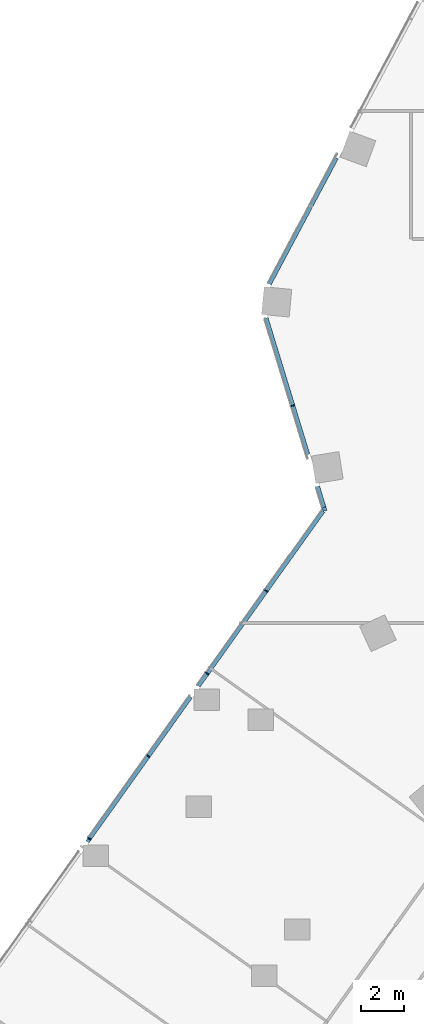
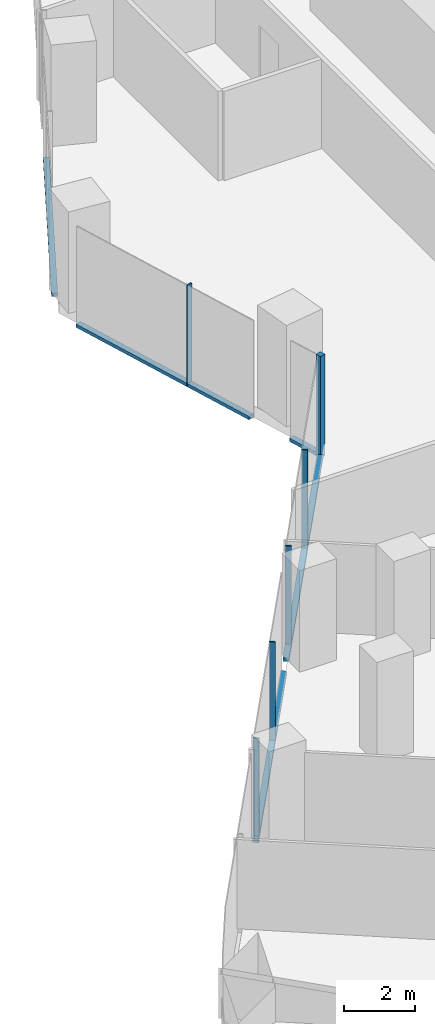
# One storey, part 7 of 31: 11 members, 3 elements without a shape of their own.
"""IFC4 building model written with IfcOpenShell, lengths in metres."""

import ifcopenshell
import ifcopenshell.guid

model = None  # the IFC model being written
_history = None  # IfcOwnerHistory: only IFC2X3 demands one
_inside = {}  # id of a spatial element -> (the spatial element, [elements in it])
_under = {}  # id of a project, library or spatial element -> (it, [spatial elements below it])
_declared = {}  # id of a project -> (the project, [libraries it declares])
_typed = {}  # id of a type object -> (the type object, [elements of that type])
_made_of = {}  # id of a material, layer set ... -> (it, [elements and type objects made of it])


def new_model(schema):
    """Start an empty IFC model of exactly this schema.

    Asked for "IFC4X3", IfcOpenShell would pick the latest addendum, in which some entities
    have other attributes; the version numbers below select the first issue.
    IFC2X3 requires an IfcOwnerHistory on every rooted entity: one is made here for all.
    """
    global model, _history
    if schema == "IFC4X3":
        model = ifcopenshell.file(schema_version=(4, 3, 0, 0))
    else:
        model = ifcopenshell.file(schema=schema)
    _inside.clear()
    _under.clear()
    _declared.clear()
    _typed.clear()
    _made_of.clear()
    _history = None
    if model.schema == "IFC2X3":
        org = make("IfcOrganization", Name="unknown")
        user = make(
            "IfcPersonAndOrganization",
            ThePerson=make("IfcPerson", FamilyName="unknown"),
            TheOrganization=org,
        )
        app = make(
            "IfcApplication",
            ApplicationDeveloper=org,
            Version="unknown",
            ApplicationFullName="unknown",
            ApplicationIdentifier="unknown",
        )
        _history = make(
            "IfcOwnerHistory",
            OwningUser=user,
            OwningApplication=app,
            ChangeAction="ADDED",
            CreationDate=0,
        )
    return model


def make(cls, **values):
    """One entity of the class cls with the attributes given. An attribute that is None is left unset."""
    return model.create_entity(
        cls, **{name: value for name, value in values.items() if value is not None}
    )


def rooted(cls, **values):
    """An entity with a GlobalId (a new one), such as an element, a storey or a relation."""
    return make(cls, GlobalId=ifcopenshell.guid.new(), OwnerHistory=_history, **values)


def si_unit(unit_type, name, prefix=None):
    """IfcSIUnit, for example si_unit("LENGTHUNIT", "METRE", prefix="MILLI")."""
    return make("IfcSIUnit", UnitType=unit_type, Prefix=prefix, Name=name)


def assignment(units):
    """IfcUnitAssignment: the units of a project."""
    return None if units is None else make("IfcUnitAssignment", Units=units)


def point(xyz):
    """IfcCartesianPoint."""
    return None if xyz is None else make("IfcCartesianPoint", Coordinates=xyz)


def direction(xyz):
    """IfcDirection."""
    return None if xyz is None else make("IfcDirection", DirectionRatios=xyz)


def frame(location, z_axis=None, x_axis=None):
    """IfcAxis2Placement3D, a coordinate frame: its origin and axes. An axis left out is left unset."""
    return make(
        "IfcAxis2Placement3D",
        Location=point(location),
        Axis=direction(z_axis),
        RefDirection=direction(x_axis),
    )


def frame_2d(location, x_axis=None):
    """IfcAxis2Placement2D, a coordinate frame in the plane: its origin and x axis."""
    return make(
        "IfcAxis2Placement2D", Location=point(location), RefDirection=direction(x_axis)
    )


def origin():
    """The frame at (0, 0, 0) with its axes left unset."""
    return frame((0.0, 0.0, 0.0))


def origin_2d():
    """The frame at (0, 0) in the plane with its x axis left unset."""
    return frame_2d((0.0, 0.0))


def place(relative_to, where):
    """IfcLocalPlacement: puts the frame where relative to a parent placement (None: the world)."""
    return make(
        "IfcLocalPlacement", PlacementRelTo=relative_to, RelativePlacement=where
    )


def context(
    kind, dimensions, precision=None, world=None, true_north=None, identifier=None
):
    """IfcGeometricRepresentationContext, for example the 3D "Model" context."""
    return make(
        "IfcGeometricRepresentationContext",
        ContextIdentifier=identifier,
        ContextType=kind,
        CoordinateSpaceDimension=dimensions,
        Precision=precision,
        WorldCoordinateSystem=world,
        TrueNorth=true_north,
    )


def subcontext(parent, identifier, kind, view, scale=None):
    """IfcGeometricRepresentationSubContext, for example "Body" below "Model"."""
    return make(
        "IfcGeometricRepresentationSubContext",
        ContextIdentifier=identifier,
        ContextType=kind,
        ParentContext=parent,
        TargetScale=scale,
        TargetView=view,
    )


def project(units=None, contexts=None):
    """IfcProject with its units and contexts."""
    return rooted(
        "IfcProject",
        Name="project",
        RepresentationContexts=contexts,
        UnitsInContext=assignment(units),
    )


def spatial(cls, under=None, at=None, **own):
    """A site, building, storey or space (cls), placed at a placement, below another one or the project."""
    s = rooted(cls, ObjectPlacement=at, **own)
    if under is not None:
        _under.setdefault(under.id(), (under, []))[1].append(s)
    return s


def profile(cls, at=None, kind="AREA", **sizes):
    """A parametric profile (cls). Its sizes go by their IFC names, for example OverallWidth=200.0."""
    return make(cls, ProfileType=kind, Position=at, **sizes)


def rectangle(**sizes):
    """IfcRectangleProfileDef."""
    return profile("IfcRectangleProfileDef", **sizes)


def extrude(swept, where, along, depth):
    """IfcExtrudedAreaSolid: the profile swept, set in the frame where, extruded along a direction by depth."""
    return make(
        "IfcExtrudedAreaSolid",
        SweptArea=swept,
        Position=where,
        ExtrudedDirection=direction(along),
        Depth=depth,
    )


def shape(context_of_items, identifier, shape_type, items):
    """IfcShapeRepresentation: the items that make up one representation, for example the "Body"."""
    return make(
        "IfcShapeRepresentation",
        ContextOfItems=context_of_items,
        RepresentationIdentifier=identifier,
        RepresentationType=shape_type,
        Items=items,
    )


def material(Name=None, Category=None):
    """IfcMaterial."""
    return make("IfcMaterial", Name=Name, Category=Category)


def material_profile(
    of_material, cross_section, Name=None, Category=None, Priority=None
):
    """IfcMaterialProfile: a cross section and its material."""
    return make(
        "IfcMaterialProfile",
        Name=Name,
        Material=of_material,
        Profile=cross_section,
        Priority=Priority,
        Category=Category,
    )


def profile_set(profiles, Name=None, composite=None):
    """IfcMaterialProfileSet."""
    return make(
        "IfcMaterialProfileSet",
        Name=Name,
        MaterialProfiles=profiles,
        CompositeProfile=composite,
    )


def made_of(thing, what):
    """Note that an element or type object is made of a material, layer set ...; save() writes the relation."""
    if what is not None:
        _made_of.setdefault(what.id(), (what, []))[1].append(thing)
    return thing


def type_object(cls, material=None, **own):
    """A type object (cls), such as IfcWallType, which elements share."""
    return made_of(rooted(cls, **own), material)


def element(
    cls,
    number,
    at=None,
    inside=None,
    cuts=None,
    type_object=None,
    material=None,
    context=None,
    identifier="Body",
    shape_type=None,
    held_by="IfcProductDefinitionShape",
    body=None,
    shapes=None,
    **own,
):
    """One element of the class cls, such as IfcWall. Its Tag is "e" and its number.

    at: its placement. inside: the storey or other place that contains it. cuts: it is an
    opening in that element (IfcRelVoidsElement). A single representation is given by context,
    identifier, shape_type and body (its items); several are given by shapes. held_by: the class
    of the entity that holds the representations. save() writes the other relations.
    """
    e = rooted(cls, Tag="e%d" % number, ObjectPlacement=at, **own)
    if body is not None:
        shapes = [shape(context, identifier, shape_type, body)]
    if shapes is not None:
        e.Representation = make(held_by, Representations=shapes)
    if inside is not None:
        _inside.setdefault(inside.id(), (inside, []))[1].append(e)
    if cuts is not None:
        rooted(
            "IfcRelVoidsElement", RelatingBuildingElement=cuts, RelatedOpeningElement=e
        )
    if type_object is not None:
        _typed.setdefault(type_object.id(), (type_object, []))[1].append(e)
    return made_of(e, material)


def aggregate(whole, parts):
    """IfcRelAggregates: a whole, such as a stair, and the parts it consists of."""
    return rooted("IfcRelAggregates", RelatingObject=whole, RelatedObjects=parts)


def save(model, path):
    """Write the relations noted so far, then the file.

    IfcRelAggregates (storeys below a building ...), IfcRelContainedInSpatialStructure (elements
    in a storey), IfcRelDefinesByType, IfcRelAssociatesMaterial and IfcRelDeclares: one each for
    every whole, place, type object, material and project.
    """
    for whole, parts in _under.values():
        aggregate(whole, parts)
    for where, things in _inside.values():
        rooted(
            "IfcRelContainedInSpatialStructure",
            RelatedElements=things,
            RelatingStructure=where,
        )
    for kind, things in _typed.values():
        rooted("IfcRelDefinesByType", RelatedObjects=things, RelatingType=kind)
    for what, things in _made_of.values():
        rooted("IfcRelAssociatesMaterial", RelatedObjects=things, RelatingMaterial=what)
    for by, libraries in _declared.values():
        rooted("IfcRelDeclares", RelatingContext=by, RelatedDefinitions=libraries)
    model.write(path)


model = new_model("IFC4")

# Units and contexts
model_context = context("Model", 3, precision=1e-05, world=origin(), true_north=direction((0.0, 1.0)))
body_context = subcontext(model_context, "Body", "Model", "MODEL_VIEW")
ifc_project = project(units=[si_unit("LENGTHUNIT", "METRE"), si_unit("AREAUNIT", "SQUARE_METRE"), si_unit("VOLUMEUNIT", "CUBIC_METRE"), si_unit("PLANEANGLEUNIT", "RADIAN"), si_unit("MASSUNIT", "GRAM", prefix="KILO")], contexts=[model_context])

# Site, building, storey
site_placement = place(None, origin())
site = spatial("IfcSite", under=ifc_project, at=site_placement, CompositionType="ELEMENT")
building_placement = place(site_placement, origin())
building = spatial("IfcBuilding", under=site, at=building_placement, Name="Orlundy Tower", CompositionType="ELEMENT")
storey_placement = place(building_placement, frame((0.0, 0.0, 91.199951171875)))
storey = spatial("IfcBuildingStorey", under=building, at=storey_placement, Name="L22", CompositionType="ELEMENT", Elevation=91.199951171875)

# Curtain wall, member
ifc_material_1 = material(Name="Aluminium bronze anodised", Category="aluminium")
curtain_wall_type = type_object("IfcCurtainWallType", Name="CW1 wall", PredefinedType="NOTDEFINED", material=ifc_material_1)
curtain_wall_1_placement = place(storey_placement, origin())
curtain_wall_1 = element("IfcCurtainWall", 1, at=curtain_wall_1_placement, inside=storey, type_object=curtain_wall_type, Name="CW1 run 01", PredefinedType="NOTDEFINED")
ifc_material_2 = material(Name="Aluminium bronze anodised", Category="aluminium")
ifc_material_profile_1 = material_profile(ifc_material_2, rectangle(XDim=0.179931640625, YDim=0.179931640625, at=origin_2d()), Name="CW1 corner post 180x180")
ifc_profile_set_1 = profile_set([ifc_material_profile_1], Name="Aluminium bronze anodised")
member_type_1 = type_object("IfcMemberType", Name="CW1 corner post 180x180", PredefinedType="MULLION", material=ifc_profile_set_1)
member_1_placement = place(storey_placement, frame((-29.427978515625, -6.660888671875, -0.39990234375), z_axis=(0.0, 0.0, 1.0), x_axis=(-0.956299228529, -0.292389783533, 0.0)))
member_1 = element("IfcMember", 2, at=member_1_placement, type_object=member_type_1, Name="CW1 mullion 7", PredefinedType="MULLION", context=body_context, shape_type="SweptSolid", body=[
    extrude(rectangle(XDim=0.179931640625, YDim=0.179931640625, at=origin_2d()), origin(), (0.0, 0.0, 1.0), 3.5),
])

# Curtain wall, members
curtain_wall_2_placement = place(storey_placement, origin())
curtain_wall_2 = element("IfcCurtainWall", 3, at=curtain_wall_2_placement, inside=storey, type_object=curtain_wall_type, Name="CW1 run 00", PredefinedType="NOTDEFINED")
ifc_material_3 = material(Name="Aluminium bronze anodised", Category="aluminium")
ifc_material_profile_2 = material_profile(ifc_material_3, rectangle(XDim=0.179931640625, YDim=0.050048828125, at=origin_2d()), Name="CW1 mullion 50x180")
ifc_profile_set_2 = profile_set([ifc_material_profile_2], Name="Aluminium bronze anodised")
member_type_2 = type_object("IfcMemberType", Name="CW1 mullion 50x180", PredefinedType="MULLION", material=ifc_profile_set_2)
member_2_placement = place(storey_placement, frame((-40.4482421875, -22.11083984375, -0.39990234375), z_axis=(0.0, 0.0, 1.0), x_axis=(-0.814116921316, 0.580700988829, 0.0)))
member_2 = element("IfcMember", 4, at=member_2_placement, type_object=member_type_2, Name="CW1 mullion 3", PredefinedType="MULLION", context=body_context, shape_type="SweptSolid", body=[
    extrude(rectangle(XDim=0.179931640625, YDim=0.050048828125, at=origin_2d()), origin(), (0.0, 0.0, 1.0), 3.5),
])
member_3_placement = place(storey_placement, frame((-37.686767578125, -18.2392578125, -0.39990234375), z_axis=(0.0, 0.0, 1.0), x_axis=(-0.814116921316, 0.580700988829, 0.0)))
member_3 = element("IfcMember", 5, at=member_3_placement, type_object=member_type_2, Name="CW1 mullion 4", PredefinedType="MULLION", context=body_context, shape_type="SweptSolid", body=[
    extrude(rectangle(XDim=0.179931640625, YDim=0.050048828125, at=origin_2d()), origin(), (0.0, 0.0, 1.0), 3.5),
])
member_4_placement = place(storey_placement, frame((-34.92529296875, -14.36767578125, -0.39990234375), z_axis=(0.0, 0.0, 1.0), x_axis=(-0.814116921316, 0.580700988829, 0.0)))
member_4 = element("IfcMember", 6, at=member_4_placement, type_object=member_type_2, Name="CW1 mullion 5", PredefinedType="MULLION", context=body_context, shape_type="SweptSolid", body=[
    extrude(rectangle(XDim=0.179931640625, YDim=0.050048828125, at=origin_2d()), origin(), (0.0, 0.0, 1.0), 3.5),
])
member_5_placement = place(storey_placement, frame((-32.163818359375, -10.496337890625, -0.39990234375), z_axis=(0.0, 0.0, 1.0), x_axis=(-0.814116921316, 0.580700988829, 0.0)))
member_5 = element("IfcMember", 7, at=member_5_placement, type_object=member_type_2, Name="CW1 mullion 6", PredefinedType="MULLION", context=body_context, shape_type="SweptSolid", body=[
    extrude(rectangle(XDim=0.179931640625, YDim=0.050048828125, at=origin_2d()), origin(), (0.0, 0.0, 1.0), 3.5),
])

# Member
member_6_placement = place(storey_placement, frame((-30.91162109375, -1.808837890625, -0.39990234375), z_axis=(0.0, 0.0, 1.0), x_axis=(-0.956299228529, -0.292389783533, 0.0)))
member_6 = element("IfcMember", 8, at=member_6_placement, type_object=member_type_2, Name="CW1 mullion 8", PredefinedType="MULLION", context=body_context, shape_type="SweptSolid", body=[
    extrude(rectangle(XDim=0.179931640625, YDim=0.050048828125, at=origin_2d()), origin(), (0.0, 0.0, 1.0), 3.5),
])

ifc_material_4 = material(Name="Aluminium bronze anodised", Category="aluminium")
ifc_material_profile_3 = material_profile(ifc_material_4, rectangle(XDim=0.179931640625, YDim=0.1201171875, at=origin_2d()), Name="CW1 transom 180x120")
ifc_profile_set_3 = profile_set([ifc_material_profile_3], Name="Aluminium bronze anodised")
member_type_3 = type_object("IfcMemberType", Name="CW1 transom 180x120", PredefinedType="USERDEFINED", material=ifc_profile_set_3)
member_7_placement = place(storey_placement, frame((-40.547607421875, -22.25, -0.33984375), z_axis=(0.580695047202, 0.814121159383, 0.0), x_axis=(-0.814121159383, 0.580695047202, 0.0)))
member_7 = element("IfcMember", 9, at=member_7_placement, type_object=member_type_3, Name="CW1 transom", ObjectType="TRANSOM", PredefinedType="USERDEFINED", context=body_context, shape_type="SweptSolid", body=[
    extrude(rectangle(XDim=0.179931640625, YDim=0.1201171875, at=origin_2d()), origin(), (0.0, 0.0, 1.0), 8.3359375),
])

member_8_placement = place(storey_placement, frame((-35.340576171875, -14.949951171875, -0.33984375), z_axis=(0.580701325073, 0.814116681477, 0.0), x_axis=(-0.814116681477, 0.580701325073, 0.0)))
member_8 = element("IfcMember", 10, at=member_8_placement, type_object=member_type_3, Name="CW1 transom", ObjectType="TRANSOM", PredefinedType="USERDEFINED", context=body_context, shape_type="SweptSolid", body=[
    extrude(rectangle(XDim=0.179931640625, YDim=0.1201171875, at=origin_2d()), origin(), (0.0, 0.0, 1.0), 10.068359375),
])

aggregate(curtain_wall_2, [member_2, member_3, member_4, member_5, member_7, member_8])

member_9_placement = place(storey_placement, frame((-29.454345703125, -6.57470703125, -0.33984375), z_axis=(-0.292491498348, 0.956268123172, 0.0), x_axis=(-0.956268123172, -0.292491498348, 0.0)))
member_9 = element("IfcMember", 11, at=member_9_placement, type_object=member_type_3, Name="CW1 transom", ObjectType="TRANSOM", PredefinedType="USERDEFINED", context=body_context, shape_type="SweptSolid", body=[
    extrude(rectangle(XDim=0.179931640625, YDim=0.1201171875, at=origin_2d()), origin(), (0.0, 0.0, 1.0), 1.0224609375),
])

member_10_placement = place(storey_placement, frame((-30.211181640625, -4.099853515625, -0.33984375), z_axis=(-0.292366048802, 0.956306485133, 0.0), x_axis=(-0.956306485133, -0.292366048802, 0.0)))
member_10 = element("IfcMember", 12, at=member_10_placement, type_object=member_type_3, Name="CW1 transom", ObjectType="TRANSOM", PredefinedType="USERDEFINED", context=body_context, shape_type="SweptSolid", body=[
    extrude(rectangle(XDim=0.179931640625, YDim=0.1201171875, at=origin_2d()), origin(), (0.0, 0.0, 1.0), 6.685302734375),
])

aggregate(curtain_wall_1, [member_1, member_6, member_9, member_10])

# Curtain wall, member
curtain_wall_3_placement = place(storey_placement, origin())
curtain_wall_3 = element("IfcCurtainWall", 13, at=curtain_wall_3_placement, inside=storey, type_object=curtain_wall_type, Name="CW1 run 02", PredefinedType="NOTDEFINED")
member_11_placement = place(storey_placement, frame((-32.012451171875, 3.885986328125, -0.33984375), z_axis=(0.469468302858, 0.882949326186, 0.0), x_axis=(-0.882949326186, 0.469468302858, 0.0)))
member_11 = element("IfcMember", 14, at=member_11_placement, type_object=member_type_3, Name="CW1 transom", ObjectType="TRANSOM", PredefinedType="USERDEFINED", context=body_context, shape_type="SweptSolid", body=[
    extrude(rectangle(XDim=0.179931640625, YDim=0.1201171875, at=origin_2d()), origin(), (0.0, 0.0, 1.0), 6.689208984375),
])
aggregate(curtain_wall_3, [member_11])

save(model, "model.ifc")
